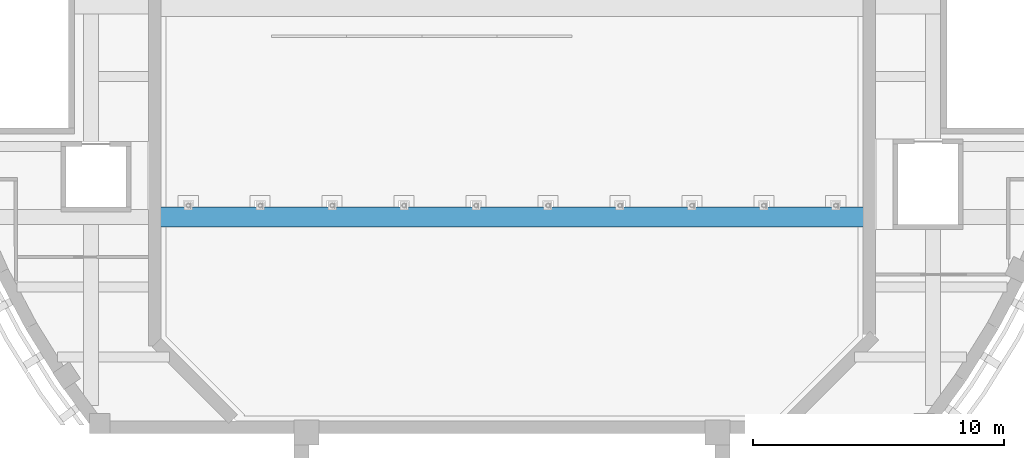
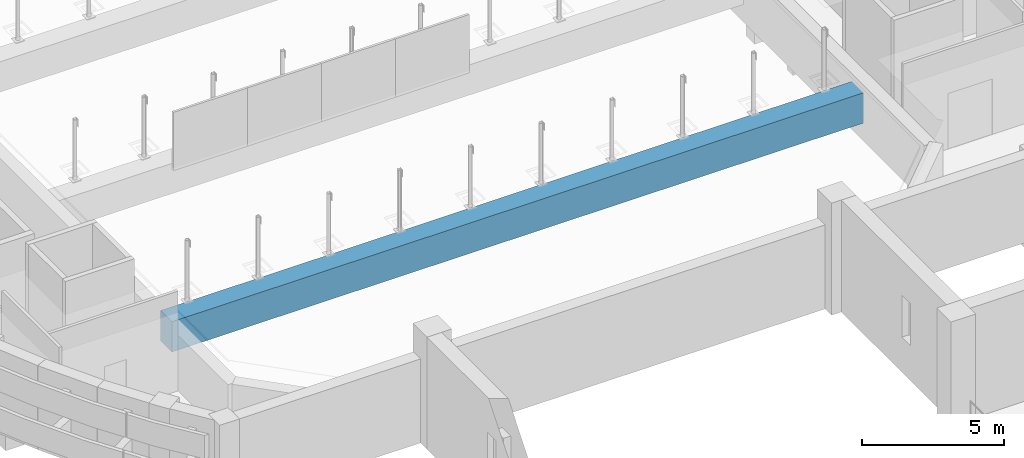
# One storey, part 4 of 47: 1 beam.
"""IFC4 building model written with IfcOpenShell, lengths in metres."""

from ifc_helpers import new_model, si_unit, direction, frame, origin, origin_2d, place, context, subcontext, project, spatial, rectangle, extrude, material, material_profile, profile_set, type_object, element, save


model = new_model("IFC4")

# Units and contexts
model_context = context("Model", 3, precision=1e-05, world=origin(), true_north=direction((0.0, 1.0)))
body_context = subcontext(model_context, "Body", "Model", "MODEL_VIEW")
ifc_project = project(units=[si_unit("LENGTHUNIT", "METRE"), si_unit("AREAUNIT", "SQUARE_METRE"), si_unit("VOLUMEUNIT", "CUBIC_METRE"), si_unit("PLANEANGLEUNIT", "RADIAN"), si_unit("MASSUNIT", "GRAM", prefix="KILO")], contexts=[model_context])

# Site, building, storey
site_placement = place(None, origin())
site = spatial("IfcSite", under=ifc_project, at=site_placement, CompositionType="ELEMENT")
building_placement = place(site_placement, origin())
building = spatial("IfcBuilding", under=site, at=building_placement, Name="Larchfold Concert Hall", CompositionType="ELEMENT")
storey_placement = place(building_placement, frame((0.0, 0.0, 24.0)))
storey = spatial("IfcBuildingStorey", under=building, at=storey_placement, Name="L05", CompositionType="ELEMENT", Elevation=24.0)

# Beam
ifc_material = material(Name="Concrete C40/50", Category="concrete")
ifc_material_profile = material_profile(ifc_material, rectangle(XDim=0.800048828125, YDim=1.300048828125, at=origin_2d()))
ifc_profile_set = profile_set([ifc_material_profile], Name="Concrete C40/50")
beam_type = type_object("IfcBeamType", Name="Beam RC 800x1300", PredefinedType="BEAM", material=ifc_profile_set)
beam_placement = place(storey_placement, frame((28.580078125, 67.800048828125, 1.39990234375), z_axis=(1.0, 0.0, 0.0), x_axis=(0.0, 1.0, 0.0)))
element("IfcBeam", 1, at=beam_placement, inside=storey, type_object=beam_type, Name="Beam B1851", PredefinedType="BEAM", context=body_context, shape_type="SweptSolid", body=[
    extrude(rectangle(XDim=0.800048828125, YDim=1.300048828125, at=origin_2d()), origin(), (0.0, 0.0, 1.0), 28.0400390625),
])

save(model, "model.ifc")
